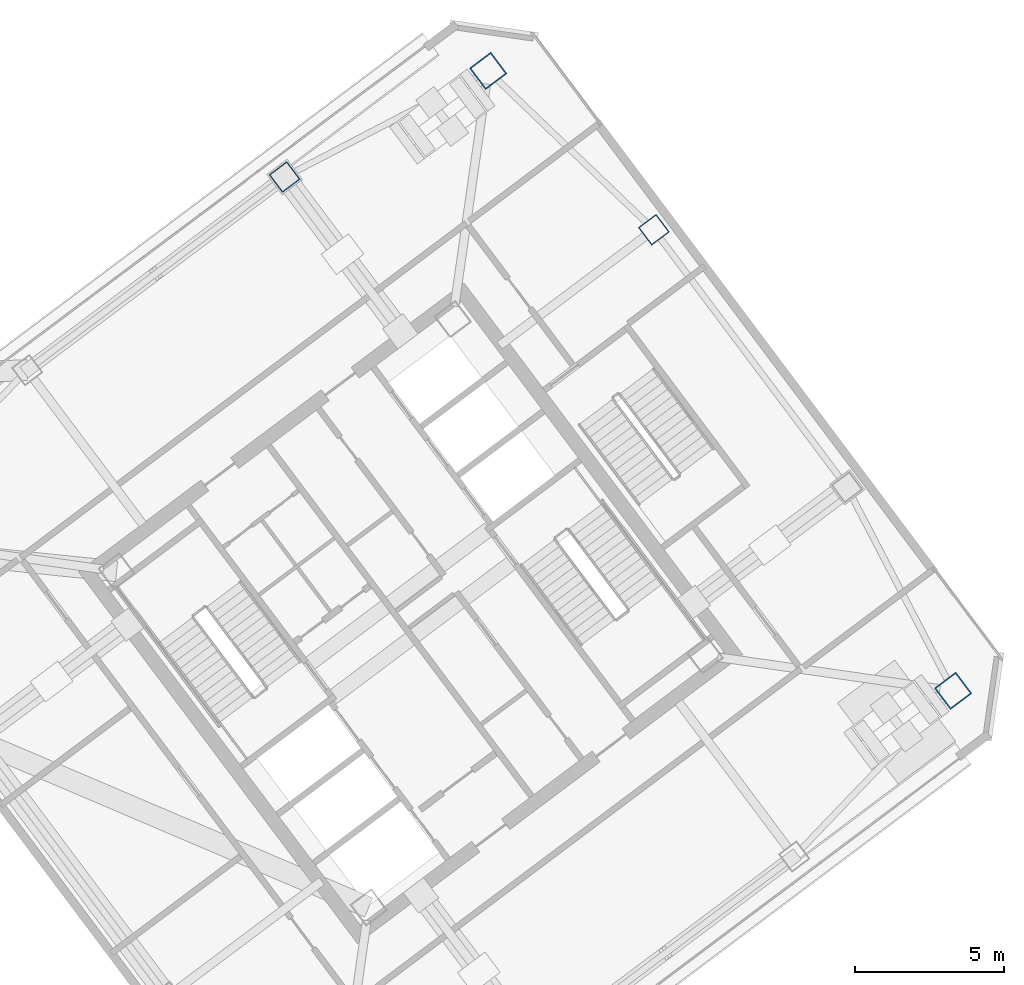
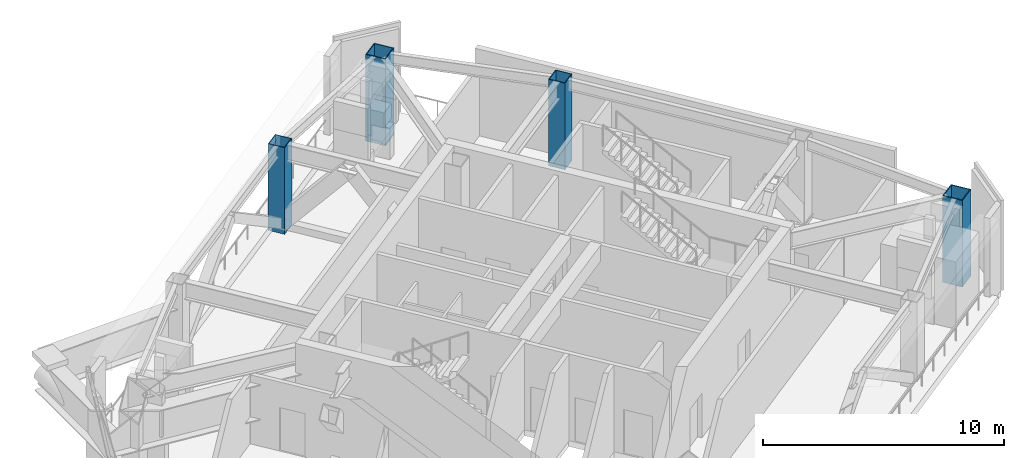
# One storey, part 2 of 15: 4 columns.
"""IFC4 building model written with IfcOpenShell, lengths in metres."""

from ifc_helpers import new_model, si_unit, direction, frame, origin, origin_2d, place, context, subcontext, project, spatial, hollow_rectangle, extrude, material, material_profile, profile_set, type_object, element, save


model = new_model("IFC4")

# Units and contexts
model_context = context("Model", 3, precision=1e-05, world=origin(), true_north=direction((0.0, 1.0)))
body_context = subcontext(model_context, "Body", "Model", "MODEL_VIEW")
ifc_project = project(units=[si_unit("LENGTHUNIT", "METRE"), si_unit("AREAUNIT", "SQUARE_METRE"), si_unit("VOLUMEUNIT", "CUBIC_METRE"), si_unit("PLANEANGLEUNIT", "RADIAN"), si_unit("MASSUNIT", "GRAM", prefix="KILO")], contexts=[model_context])

# Site, building, storey
site_placement = place(None, origin())
site = spatial("IfcSite", under=ifc_project, at=site_placement, CompositionType="ELEMENT")
building_placement = place(site_placement, origin())
building = spatial("IfcBuilding", under=site, at=building_placement, Name="Tashvorn Skyway Center", CompositionType="ELEMENT")
storey_placement = place(building_placement, frame((0.0, 0.0, 246.800048828125)))
storey = spatial("IfcBuildingStorey", under=building, at=storey_placement, Name="L67", CompositionType="ELEMENT", Elevation=246.800048828125)

# Columns
ifc_material = material(Name="Steel ASTM A572 Grade 50", Category="steel")
ifc_material_profile_1 = material_profile(ifc_material, hollow_rectangle(XDim=0.75, YDim=0.75, WallThickness=0.031982421875, at=origin_2d()), Name="BOX750x750x32")
ifc_profile_set_1 = profile_set([ifc_material_profile_1], Name="Steel ASTM A572 Grade 50")
column_type_1 = type_object("IfcColumnType", Name="COL-BOX750x750x32", PredefinedType="COLUMN", material=ifc_profile_set_1)
for number, where, z_axis, x_axis, name in (
    (1, (122.159912109375, 44.8701171875, 0.0), (0.0, 0.0, 1.0), (0.799999996291, 0.600000004945, 0.0), "Tower 2 L67 Perimeter Column FC-E2"),
    (2, (109.77001953125, 46.639892578125, 0.0), (0.0, 0.0, 1.0), (0.799999996291, 0.600000004945, 0.0), "Tower 2 L67 Perimeter Column FC-N1"),
):
    element("IfcColumn", number, at=place(storey_placement, frame(where, z_axis=z_axis, x_axis=x_axis)), inside=storey, type_object=column_type_1, Name=name, PredefinedType="COLUMN", context=body_context, shape_type="SweptSolid", body=[
        extrude(hollow_rectangle(XDim=0.75, YDim=0.75, WallThickness=0.031982421875, at=origin_2d()), origin(), (0.0, 0.0, 1.0), 4.3798828125),
    ])
ifc_material_profile_2 = material_profile(ifc_material, hollow_rectangle(XDim=0.89990234375, YDim=0.89990234375, WallThickness=0.0400390625, at=origin_2d()), Name="BOX900x900x40")
ifc_profile_set_2 = profile_set([ifc_material_profile_2], Name="Steel ASTM A572 Grade 50")
column_type_2 = type_object("IfcColumnType", Name="COL-BOX900x900x40", PredefinedType="COLUMN", material=ifc_profile_set_2)
for number, where, z_axis, x_axis, name in (
    (3, (132.199951171875, 29.39990234375, 0.0), (0.0, 0.0, 1.0), (0.799999996291, 0.600000004945, 0.0), "Tower 2 L67 Mega-Column MC-SE"),
    (4, (116.60009765625, 50.199951171875, 0.0), (0.0, 0.0, 1.0), (0.799999996291, 0.600000004945, 0.0), "Tower 2 L67 Mega-Column MC-NE"),
):
    element("IfcColumn", number, at=place(storey_placement, frame(where, z_axis=z_axis, x_axis=x_axis)), inside=storey, type_object=column_type_2, Name=name, PredefinedType="COLUMN", context=body_context, shape_type="SweptSolid", body=[
        extrude(hollow_rectangle(XDim=0.89990234375, YDim=0.89990234375, WallThickness=0.0400390625, at=origin_2d()), origin(), (0.0, 0.0, 1.0), 4.3798828125),
    ])

save(model, "model.ifc")
